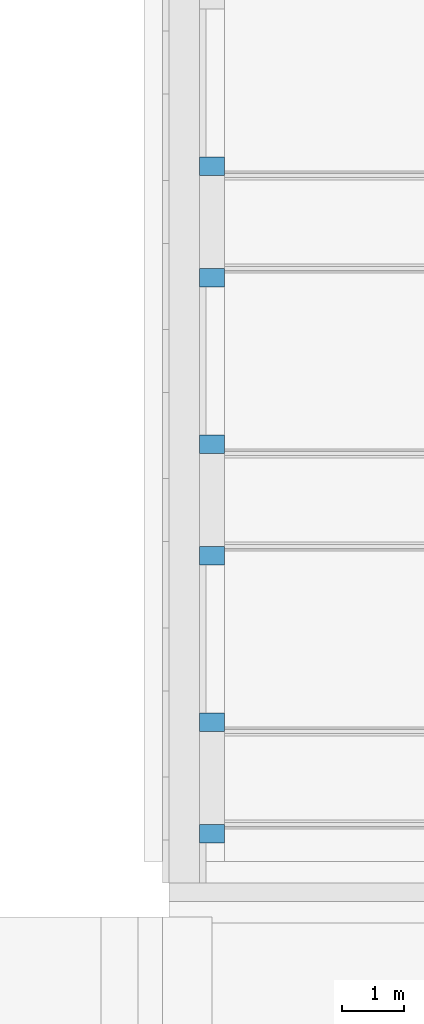
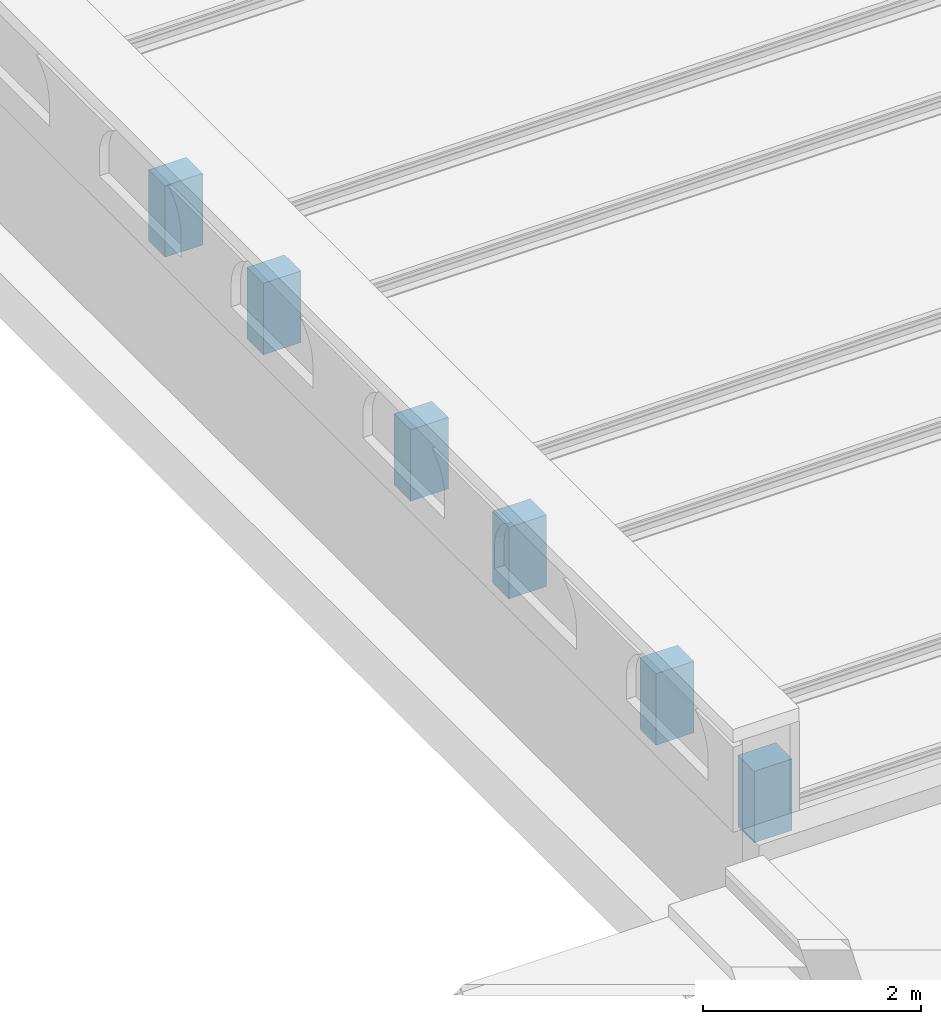
# One storey, part 160 of 250: 6 discrete accessories.
"""IFC4 building model written with IfcOpenShell, lengths in metres."""

import ifcopenshell
import ifcopenshell.guid

model = None  # the IFC model being written
_history = None  # IfcOwnerHistory: only IFC2X3 demands one
_inside = {}  # id of a spatial element -> (the spatial element, [elements in it])
_under = {}  # id of a project, library or spatial element -> (it, [spatial elements below it])
_declared = {}  # id of a project -> (the project, [libraries it declares])
_typed = {}  # id of a type object -> (the type object, [elements of that type])
_made_of = {}  # id of a material, layer set ... -> (it, [elements and type objects made of it])


def new_model(schema):
    """Start an empty IFC model of exactly this schema.

    Asked for "IFC4X3", IfcOpenShell would pick the latest addendum, in which some entities
    have other attributes; the version numbers below select the first issue.
    IFC2X3 requires an IfcOwnerHistory on every rooted entity: one is made here for all.
    """
    global model, _history
    if schema == "IFC4X3":
        model = ifcopenshell.file(schema_version=(4, 3, 0, 0))
    else:
        model = ifcopenshell.file(schema=schema)
    _inside.clear()
    _under.clear()
    _declared.clear()
    _typed.clear()
    _made_of.clear()
    _history = None
    if model.schema == "IFC2X3":
        org = make("IfcOrganization", Name="unknown")
        user = make(
            "IfcPersonAndOrganization",
            ThePerson=make("IfcPerson", FamilyName="unknown"),
            TheOrganization=org,
        )
        app = make(
            "IfcApplication",
            ApplicationDeveloper=org,
            Version="unknown",
            ApplicationFullName="unknown",
            ApplicationIdentifier="unknown",
        )
        _history = make(
            "IfcOwnerHistory",
            OwningUser=user,
            OwningApplication=app,
            ChangeAction="ADDED",
            CreationDate=0,
        )
    return model


def make(cls, **values):
    """One entity of the class cls with the attributes given. An attribute that is None is left unset."""
    return model.create_entity(
        cls, **{name: value for name, value in values.items() if value is not None}
    )


def rooted(cls, **values):
    """An entity with a GlobalId (a new one), such as an element, a storey or a relation."""
    return make(cls, GlobalId=ifcopenshell.guid.new(), OwnerHistory=_history, **values)


def si_unit(unit_type, name, prefix=None):
    """IfcSIUnit, for example si_unit("LENGTHUNIT", "METRE", prefix="MILLI")."""
    return make("IfcSIUnit", UnitType=unit_type, Prefix=prefix, Name=name)


def assignment(units):
    """IfcUnitAssignment: the units of a project."""
    return None if units is None else make("IfcUnitAssignment", Units=units)


def point(xyz):
    """IfcCartesianPoint."""
    return None if xyz is None else make("IfcCartesianPoint", Coordinates=xyz)


def direction(xyz):
    """IfcDirection."""
    return None if xyz is None else make("IfcDirection", DirectionRatios=xyz)


def frame(location, z_axis=None, x_axis=None):
    """IfcAxis2Placement3D, a coordinate frame: its origin and axes. An axis left out is left unset."""
    return make(
        "IfcAxis2Placement3D",
        Location=point(location),
        Axis=direction(z_axis),
        RefDirection=direction(x_axis),
    )


def frame_2d(location, x_axis=None):
    """IfcAxis2Placement2D, a coordinate frame in the plane: its origin and x axis."""
    return make(
        "IfcAxis2Placement2D", Location=point(location), RefDirection=direction(x_axis)
    )


def origin():
    """The frame at (0, 0, 0) with its axes left unset."""
    return frame((0.0, 0.0, 0.0))


def origin_2d():
    """The frame at (0, 0) in the plane with its x axis left unset."""
    return frame_2d((0.0, 0.0))


def place(relative_to, where):
    """IfcLocalPlacement: puts the frame where relative to a parent placement (None: the world)."""
    return make(
        "IfcLocalPlacement", PlacementRelTo=relative_to, RelativePlacement=where
    )


def context(
    kind, dimensions, precision=None, world=None, true_north=None, identifier=None
):
    """IfcGeometricRepresentationContext, for example the 3D "Model" context."""
    return make(
        "IfcGeometricRepresentationContext",
        ContextIdentifier=identifier,
        ContextType=kind,
        CoordinateSpaceDimension=dimensions,
        Precision=precision,
        WorldCoordinateSystem=world,
        TrueNorth=true_north,
    )


def subcontext(parent, identifier, kind, view, scale=None):
    """IfcGeometricRepresentationSubContext, for example "Body" below "Model"."""
    return make(
        "IfcGeometricRepresentationSubContext",
        ContextIdentifier=identifier,
        ContextType=kind,
        ParentContext=parent,
        TargetScale=scale,
        TargetView=view,
    )


def project(units=None, contexts=None):
    """IfcProject with its units and contexts."""
    return rooted(
        "IfcProject",
        Name="project",
        RepresentationContexts=contexts,
        UnitsInContext=assignment(units),
    )


def spatial(cls, under=None, at=None, **own):
    """A site, building, storey or space (cls), placed at a placement, below another one or the project."""
    s = rooted(cls, ObjectPlacement=at, **own)
    if under is not None:
        _under.setdefault(under.id(), (under, []))[1].append(s)
    return s


def profile(cls, at=None, kind="AREA", **sizes):
    """A parametric profile (cls). Its sizes go by their IFC names, for example OverallWidth=200.0."""
    return make(cls, ProfileType=kind, Position=at, **sizes)


def rectangle(**sizes):
    """IfcRectangleProfileDef."""
    return profile("IfcRectangleProfileDef", **sizes)


def extrude(swept, where, along, depth):
    """IfcExtrudedAreaSolid: the profile swept, set in the frame where, extruded along a direction by depth."""
    return make(
        "IfcExtrudedAreaSolid",
        SweptArea=swept,
        Position=where,
        ExtrudedDirection=direction(along),
        Depth=depth,
    )


def shape(context_of_items, identifier, shape_type, items):
    """IfcShapeRepresentation: the items that make up one representation, for example the "Body"."""
    return make(
        "IfcShapeRepresentation",
        ContextOfItems=context_of_items,
        RepresentationIdentifier=identifier,
        RepresentationType=shape_type,
        Items=items,
    )


def material(Name=None, Category=None):
    """IfcMaterial."""
    return make("IfcMaterial", Name=Name, Category=Category)


def made_of(thing, what):
    """Note that an element or type object is made of a material, layer set ...; save() writes the relation."""
    if what is not None:
        _made_of.setdefault(what.id(), (what, []))[1].append(thing)
    return thing


def type_object(cls, material=None, **own):
    """A type object (cls), such as IfcWallType, which elements share."""
    return made_of(rooted(cls, **own), material)


def element(
    cls,
    number,
    at=None,
    inside=None,
    cuts=None,
    type_object=None,
    material=None,
    context=None,
    identifier="Body",
    shape_type=None,
    held_by="IfcProductDefinitionShape",
    body=None,
    shapes=None,
    **own,
):
    """One element of the class cls, such as IfcWall. Its Tag is "e" and its number.

    at: its placement. inside: the storey or other place that contains it. cuts: it is an
    opening in that element (IfcRelVoidsElement). A single representation is given by context,
    identifier, shape_type and body (its items); several are given by shapes. held_by: the class
    of the entity that holds the representations. save() writes the other relations.
    """
    e = rooted(cls, Tag="e%d" % number, ObjectPlacement=at, **own)
    if body is not None:
        shapes = [shape(context, identifier, shape_type, body)]
    if shapes is not None:
        e.Representation = make(held_by, Representations=shapes)
    if inside is not None:
        _inside.setdefault(inside.id(), (inside, []))[1].append(e)
    if cuts is not None:
        rooted(
            "IfcRelVoidsElement", RelatingBuildingElement=cuts, RelatedOpeningElement=e
        )
    if type_object is not None:
        _typed.setdefault(type_object.id(), (type_object, []))[1].append(e)
    return made_of(e, material)


def aggregate(whole, parts):
    """IfcRelAggregates: a whole, such as a stair, and the parts it consists of."""
    return rooted("IfcRelAggregates", RelatingObject=whole, RelatedObjects=parts)


def save(model, path):
    """Write the relations noted so far, then the file.

    IfcRelAggregates (storeys below a building ...), IfcRelContainedInSpatialStructure (elements
    in a storey), IfcRelDefinesByType, IfcRelAssociatesMaterial and IfcRelDeclares: one each for
    every whole, place, type object, material and project.
    """
    for whole, parts in _under.values():
        aggregate(whole, parts)
    for where, things in _inside.values():
        rooted(
            "IfcRelContainedInSpatialStructure",
            RelatedElements=things,
            RelatingStructure=where,
        )
    for kind, things in _typed.values():
        rooted("IfcRelDefinesByType", RelatedObjects=things, RelatingType=kind)
    for what, things in _made_of.values():
        rooted("IfcRelAssociatesMaterial", RelatedObjects=things, RelatingMaterial=what)
    for by, libraries in _declared.values():
        rooted("IfcRelDeclares", RelatingContext=by, RelatedDefinitions=libraries)
    model.write(path)


model = new_model("IFC4")

# Units and contexts
model_context = context("Model", 3, precision=1e-05, world=origin(), true_north=direction((0.0, 1.0)))
body_context = subcontext(model_context, "Body", "Model", "MODEL_VIEW")
ifc_project = project(units=[si_unit("LENGTHUNIT", "METRE"), si_unit("AREAUNIT", "SQUARE_METRE"), si_unit("VOLUMEUNIT", "CUBIC_METRE"), si_unit("PLANEANGLEUNIT", "RADIAN"), si_unit("MASSUNIT", "GRAM", prefix="KILO")], contexts=[model_context])

# Site, building, storey
site_placement = place(None, origin())
site = spatial("IfcSite", under=ifc_project, at=site_placement, CompositionType="ELEMENT")
building_placement = place(site_placement, origin())
building = spatial("IfcBuilding", under=site, at=building_placement, Name="Baradari Gate Terminus", CompositionType="ELEMENT")
storey_placement = place(building_placement, origin())
storey = spatial("IfcBuildingStorey", under=building, at=storey_placement, Name="L00", CompositionType="ELEMENT", Elevation=0.0)

# Discrete accessories
ifc_material = material(Name="Steel S355", Category="steel")
discrete_accessory_type = type_object("IfcDiscreteAccessoryType", Name="Buffer stop post BF1 400x300x800", PredefinedType="USERDEFINED", material=ifc_material)
for number, where, z_axis, x_axis, name in (
    (1, (4.199951171875, 50.85009765625, -0.72216796875), (0.0, 0.0, 1.0), (1.0, 0.0, 0.0), "Buffer stop T1W post"),
    (2, (4.199951171875, 52.64990234375, -0.72216796875), (0.0, 0.0, 1.0), (1.0, 0.0, 0.0), "Buffer stop T1W post"),
    (3, (4.199951171875, 55.35009765625, -0.72216796875), (0.0, 0.0, 1.0), (1.0, 0.0, 0.0), "Buffer stop T2W post"),
    (4, (4.199951171875, 57.14990234375, -0.72216796875), (0.0, 0.0, 1.0), (1.0, 0.0, 0.0), "Buffer stop T2W post"),
    (5, (4.199951171875, 59.85009765625, -0.72216796875), (0.0, 0.0, 1.0), (1.0, 0.0, 0.0), "Buffer stop T3W post"),
    (6, (4.199951171875, 61.64990234375, -0.72216796875), (0.0, 0.0, 1.0), (1.0, 0.0, 0.0), "Buffer stop T3W post"),
):
    element("IfcDiscreteAccessory", number, at=place(storey_placement, frame(where, z_axis=z_axis, x_axis=x_axis)), inside=storey, type_object=discrete_accessory_type, Name=name, ObjectType="BUFFER STOP", PredefinedType="USERDEFINED", context=body_context, shape_type="SweptSolid", body=[
        extrude(rectangle(XDim=0.39990234375, YDim=0.300048828125, at=origin_2d()), origin(), (0.0, 0.0, 1.0), 0.800048828125),
    ])

save(model, "model.ifc")
